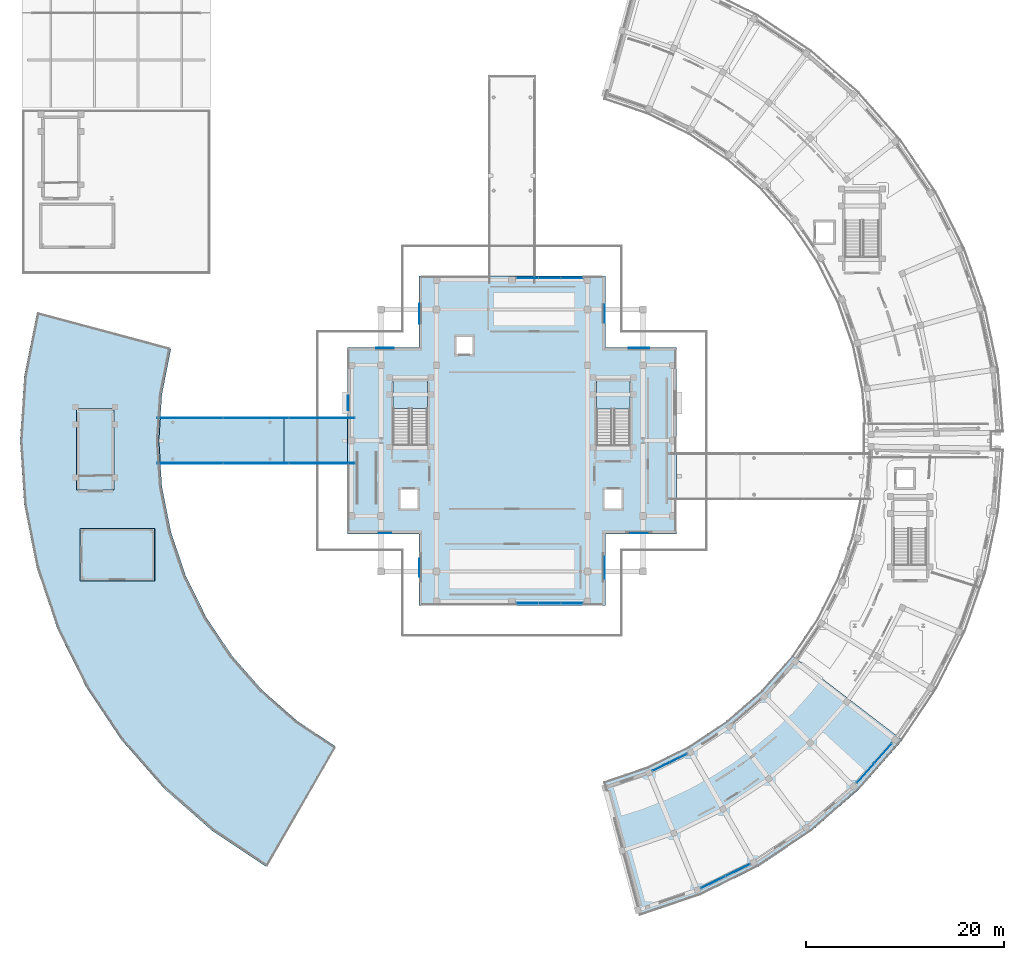
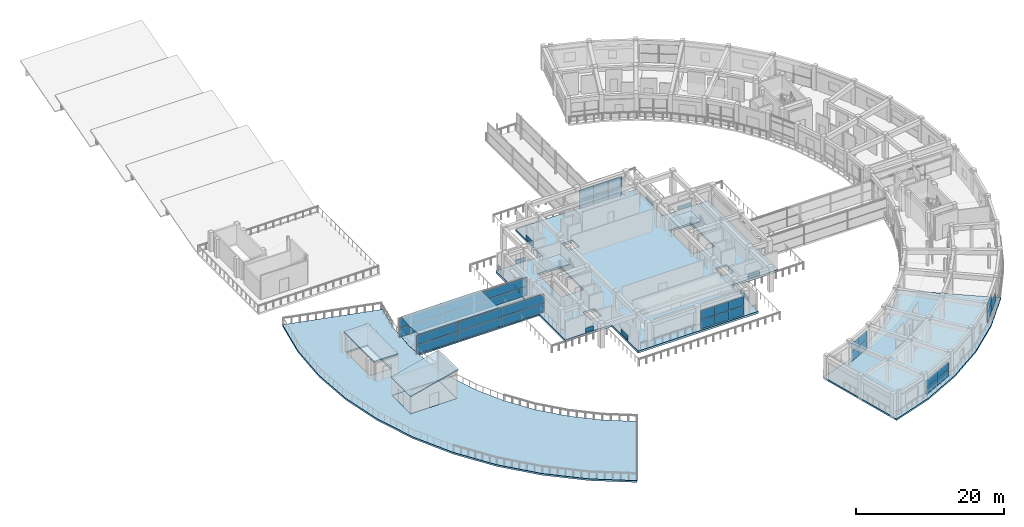
# One storey, part 28 of 53: 44 plates, 10 slabs, 9 elements without a shape of their own.
"""IFC4 building model written with IfcOpenShell, lengths in metres."""

from ifc_helpers import new_model, si_unit, direction, frame, origin, origin_2d, place, context, subcontext, project, spatial, polyline, rectangle, outline, extrude, material, layer, layer_set, type_object, element, aggregate, save


model = new_model("IFC4")

# Units and contexts
model_context = context("Model", 3, precision=1e-05, world=origin(), true_north=direction((0.0, 1.0)))
body_context = subcontext(model_context, "Body", "Model", "MODEL_VIEW")
ifc_project = project(units=[si_unit("LENGTHUNIT", "METRE"), si_unit("AREAUNIT", "SQUARE_METRE"), si_unit("VOLUMEUNIT", "CUBIC_METRE"), si_unit("PLANEANGLEUNIT", "RADIAN"), si_unit("MASSUNIT", "GRAM", prefix="KILO")], contexts=[model_context])

# Site, building, storey
site_placement = place(None, origin())
site = spatial("IfcSite", under=ifc_project, at=site_placement, CompositionType="ELEMENT")
building_placement = place(site_placement, origin())
building = spatial("IfcBuilding", under=site, at=building_placement, Name="Saryqyr Civic Hall", CompositionType="ELEMENT")
storey_placement = place(building_placement, frame((0.0, 0.0, 21.300048828125)))
storey = spatial("IfcBuildingStorey", under=building, at=storey_placement, Name="L05", CompositionType="ELEMENT", Elevation=21.300048828125)

# Curtain wall, plates
ifc_material_1 = material(Name="Anodised aluminium and triple low-E glass", Category="aluminium")
curtain_wall_type_1 = type_object("IfcCurtainWallType", Name="ENV-CW-STD-03", PredefinedType="NOTDEFINED", material=ifc_material_1)
curtain_wall_1_placement = place(storey_placement, origin())
curtain_wall_1 = element("IfcCurtainWall", 1, at=curtain_wall_1_placement, inside=storey, type_object=curtain_wall_type_1, Name="Curtain wall V5-CWO-L05-01", PredefinedType="NOTDEFINED")
ifc_material_2 = material(Name="Triple low-E insulated glazing", Category="glass")
ifc_layer_1 = layer(ifc_material_2, 0.053955078125, Name="Triple low-E insulated glazing")
ifc_layer_set_1 = layer_set([ifc_layer_1], Name="Triple low-E insulated glazing")
plate_type_1 = type_object("IfcPlateType", Name="ENV-CW-PNL-38", PredefinedType="CURTAIN_PANEL", material=ifc_layer_set_1)
plate_1_placement = place(storey_placement, frame((79.7548828125, 40.697509765625, 0.06005859375), z_axis=(0.0, 0.0, 1.0), x_axis=(-0.89797065456, -0.440055341463, 0.0)))
plate_1 = element("IfcPlate", 2, at=plate_1_placement, type_object=plate_type_1, Name="CW-03 panel 1.1", PredefinedType="CURTAIN_PANEL", context=body_context, shape_type="SweptSolid", body=[
    extrude(rectangle(XDim=2.695556640625, YDim=0.053955078125, at=origin_2d()), origin(), (0.0, 0.0, 1.0), 1.135009765625),
])
plate_2_placement = place(storey_placement, frame((79.7548828125, 40.697509765625, 1.2548828125), z_axis=(0.0, 0.0, 1.0), x_axis=(-0.89797065456, -0.440055341463, 0.0)))
plate_2 = element("IfcPlate", 3, at=plate_2_placement, type_object=plate_type_1, Name="CW-03 panel 1.2", PredefinedType="CURTAIN_PANEL", context=body_context, shape_type="SweptSolid", body=[
    extrude(rectangle(XDim=2.695556640625, YDim=0.053955078125, at=origin_2d()), origin(), (0.0, 0.0, 1.0), 1.135009765625),
])
plate_3_placement = place(storey_placement, frame((77.280517578125, 39.485107421875, 0.06005859375), z_axis=(0.0, 0.0, 1.0), x_axis=(-0.89797065456, -0.440055341463, 0.0)))
plate_3 = element("IfcPlate", 4, at=plate_3_placement, type_object=plate_type_1, Name="CW-03 panel 2.1", PredefinedType="CURTAIN_PANEL", context=body_context, shape_type="SweptSolid", body=[
    extrude(rectangle(XDim=2.695556640625, YDim=0.053955078125, at=origin_2d()), origin(), (0.0, 0.0, 1.0), 1.135009765625),
])
plate_4_placement = place(storey_placement, frame((77.280517578125, 39.485107421875, 1.2548828125), z_axis=(0.0, 0.0, 1.0), x_axis=(-0.89797065456, -0.440055341463, 0.0)))
plate_4 = element("IfcPlate", 5, at=plate_4_placement, type_object=plate_type_1, Name="CW-03 panel 2.2", PredefinedType="CURTAIN_PANEL", context=body_context, shape_type="SweptSolid", body=[
    extrude(rectangle(XDim=2.695556640625, YDim=0.053955078125, at=origin_2d()), origin(), (0.0, 0.0, 1.0), 1.135009765625),
])
aggregate(curtain_wall_1, [plate_1, plate_2, plate_3, plate_4])

curtain_wall_type_2 = type_object("IfcCurtainWallType", Name="ENV-CW-STD-25", PredefinedType="NOTDEFINED", material=ifc_material_1)
curtain_wall_2_placement = place(storey_placement, origin())
curtain_wall_2 = element("IfcCurtainWall", 6, at=curtain_wall_2_placement, inside=storey, type_object=curtain_wall_type_2, Name="Curtain wall V5-CWI-L05-01", PredefinedType="NOTDEFINED")
plate_5_placement = place(storey_placement, frame((72.03076171875, 51.136962890625, 0.06005859375), z_axis=(0.0, 0.0, 1.0), x_axis=(0.897961859945, 0.440073287175, 0.0)))
plate_5 = element("IfcPlate", 7, at=plate_5_placement, type_object=plate_type_1, Name="CW-25 panel 1.1", PredefinedType="CURTAIN_PANEL", context=body_context, shape_type="SweptSolid", body=[
    extrude(rectangle(XDim=1.868896484375, YDim=0.053955078125, at=origin_2d()), origin(), (0.0, 0.0, 1.0), 1.488037109375),
])
plate_6_placement = place(storey_placement, frame((72.03076171875, 51.136962890625, 1.60791015625), z_axis=(0.0, 0.0, 1.0), x_axis=(0.897961859945, 0.440073287175, 0.0)))
plate_6 = element("IfcPlate", 8, at=plate_6_placement, type_object=plate_type_1, Name="CW-25 panel 1.2", PredefinedType="CURTAIN_PANEL", context=body_context, shape_type="SweptSolid", body=[
    extrude(rectangle(XDim=1.868896484375, YDim=0.053955078125, at=origin_2d()), origin(), (0.0, 0.0, 1.0), 1.487060546875),
])
plate_7_placement = place(storey_placement, frame((73.762939453125, 51.98583984375, 0.06005859375), z_axis=(0.0, 0.0, 1.0), x_axis=(0.897961859945, 0.440073287175, 0.0)))
plate_7 = element("IfcPlate", 9, at=plate_7_placement, type_object=plate_type_1, Name="CW-25 panel 2.1", PredefinedType="CURTAIN_PANEL", context=body_context, shape_type="SweptSolid", body=[
    extrude(rectangle(XDim=1.868896484375, YDim=0.053955078125, at=origin_2d()), origin(), (0.0, 0.0, 1.0), 1.488037109375),
])
plate_8_placement = place(storey_placement, frame((73.762939453125, 51.98583984375, 1.60791015625), z_axis=(0.0, 0.0, 1.0), x_axis=(0.897961859945, 0.440073287175, 0.0)))
plate_8 = element("IfcPlate", 10, at=plate_8_placement, type_object=plate_type_1, Name="CW-25 panel 2.2", PredefinedType="CURTAIN_PANEL", context=body_context, shape_type="SweptSolid", body=[
    extrude(rectangle(XDim=1.868896484375, YDim=0.053955078125, at=origin_2d()), origin(), (0.0, 0.0, 1.0), 1.487060546875),
])
aggregate(curtain_wall_2, [plate_5, plate_6, plate_7, plate_8])

curtain_wall_type_3 = type_object("IfcCurtainWallType", Name="ENV-CW-STD-39", PredefinedType="NOTDEFINED", material=ifc_material_1)
curtain_wall_3_placement = place(storey_placement, origin())
curtain_wall_3 = element("IfcCurtainWall", 11, at=curtain_wall_3_placement, inside=storey, type_object=curtain_wall_type_3, Name="Curtain wall V5-CWO-L05-04", PredefinedType="NOTDEFINED")
plate_9_placement = place(storey_placement, frame((94.412353515625, 52.486572265625, 0.06005859375), z_axis=(0.0, 0.0, 1.0), x_axis=(-0.664934159467, -0.746901977219, 0.0)))
plate_9 = element("IfcPlate", 12, at=plate_9_placement, type_object=plate_type_1, Name="CW-39 panel 1.1", PredefinedType="CURTAIN_PANEL", context=body_context, shape_type="SweptSolid", body=[
    extrude(rectangle(XDim=2.618896484375, YDim=0.053955078125, at=origin_2d()), origin(), (0.0, 0.0, 1.0), 1.488037109375),
])
plate_10_placement = place(storey_placement, frame((92.631103515625, 50.485595703125, 0.06005859375), z_axis=(0.0, 0.0, 1.0), x_axis=(-0.664934159467, -0.746901977219, 0.0)))
plate_10 = element("IfcPlate", 13, at=plate_10_placement, type_object=plate_type_1, Name="CW-39 panel 2.1", PredefinedType="CURTAIN_PANEL", context=body_context, shape_type="SweptSolid", body=[
    extrude(rectangle(XDim=2.618896484375, YDim=0.053955078125, at=origin_2d()), origin(), (0.0, 0.0, 1.0), 1.488037109375),
])
plate_11_placement = place(storey_placement, frame((92.631103515625, 50.485595703125, 1.60791015625), z_axis=(0.0, 0.0, 1.0), x_axis=(-0.664934159467, -0.746901977219, 0.0)))
plate_11 = element("IfcPlate", 14, at=plate_11_placement, type_object=plate_type_1, Name="CW-39 panel 2.2", PredefinedType="CURTAIN_PANEL", context=body_context, shape_type="SweptSolid", body=[
    extrude(rectangle(XDim=2.618896484375, YDim=0.053955078125, at=origin_2d()), origin(), (0.0, 0.0, 1.0), 1.487060546875),
])
aggregate(curtain_wall_3, [plate_9, plate_10, plate_11])

curtain_wall_type_4 = type_object("IfcCurtainWallType", Name="ENV-CW-STD-86", PredefinedType="NOTDEFINED", material=ifc_material_1)
curtain_wall_4_placement = place(storey_placement, origin())
curtain_wall_4 = element("IfcCurtainWall", 15, at=curtain_wall_4_placement, inside=storey, type_object=curtain_wall_type_4, Name="Curtain wall BR-CW-CW1-L05", PredefinedType="NOTDEFINED")
plate_12_placement = place(storey_placement, frame((37.8515625, 81.719970703125, 0.06005859375), z_axis=(0.0, 0.0, 1.0), x_axis=(-1.0, 0.0, 0.0)))
plate_12 = element("IfcPlate", 16, at=plate_12_placement, type_object=plate_type_1, Name="CW-86 panel 1.1", PredefinedType="CURTAIN_PANEL", context=body_context, shape_type="SweptSolid", body=[
    extrude(rectangle(XDim=6.57666015625, YDim=0.053955078125, at=origin_2d()), origin(), (0.0, 0.0, 1.0), 1.4599609375),
])
plate_13_placement = place(storey_placement, frame((37.8515625, 81.719970703125, 1.580078125), z_axis=(0.0, 0.0, 1.0), x_axis=(-1.0, 0.0, 0.0)))
plate_13 = element("IfcPlate", 17, at=plate_13_placement, type_object=plate_type_1, Name="CW-86 panel 1.2", PredefinedType="CURTAIN_PANEL", context=body_context, shape_type="SweptSolid", body=[
    extrude(rectangle(XDim=6.57666015625, YDim=0.053955078125, at=origin_2d()), origin(), (0.0, 0.0, 1.0), 1.4599609375),
])
plate_14_placement = place(storey_placement, frame((31.199951171875, 81.719970703125, 0.06005859375), z_axis=(0.0, 0.0, 1.0), x_axis=(-1.0, 0.0, 0.0)))
plate_14 = element("IfcPlate", 18, at=plate_14_placement, type_object=plate_type_1, Name="CW-86 panel 2.1", PredefinedType="CURTAIN_PANEL", context=body_context, shape_type="SweptSolid", body=[
    extrude(rectangle(XDim=6.606689453125, YDim=0.053955078125, at=origin_2d()), origin(), (0.0, 0.0, 1.0), 1.4599609375),
])
plate_15_placement = place(storey_placement, frame((31.199951171875, 81.719970703125, 1.580078125), z_axis=(0.0, 0.0, 1.0), x_axis=(-1.0, 0.0, 0.0)))
plate_15 = element("IfcPlate", 19, at=plate_15_placement, type_object=plate_type_1, Name="CW-86 panel 2.2", PredefinedType="CURTAIN_PANEL", context=body_context, shape_type="SweptSolid", body=[
    extrude(rectangle(XDim=6.606689453125, YDim=0.053955078125, at=origin_2d()), origin(), (0.0, 0.0, 1.0), 1.4599609375),
])
plate_16_placement = place(storey_placement, frame((24.54833984375, 81.719970703125, 0.06005859375), z_axis=(0.0, 0.0, 1.0), x_axis=(-1.0, 0.0, 0.0)))
plate_16 = element("IfcPlate", 20, at=plate_16_placement, type_object=plate_type_1, Name="CW-86 panel 3.1", PredefinedType="CURTAIN_PANEL", context=body_context, shape_type="SweptSolid", body=[
    extrude(rectangle(XDim=6.57666015625, YDim=0.053955078125, at=origin_2d()), origin(), (0.0, 0.0, 1.0), 1.4599609375),
])
plate_17_placement = place(storey_placement, frame((24.54833984375, 81.719970703125, 1.580078125), z_axis=(0.0, 0.0, 1.0), x_axis=(-1.0, 0.0, 0.0)))
plate_17 = element("IfcPlate", 21, at=plate_17_placement, type_object=plate_type_1, Name="CW-86 panel 3.2", PredefinedType="CURTAIN_PANEL", context=body_context, shape_type="SweptSolid", body=[
    extrude(rectangle(XDim=6.57666015625, YDim=0.053955078125, at=origin_2d()), origin(), (0.0, 0.0, 1.0), 1.4599609375),
])
aggregate(curtain_wall_4, [plate_12, plate_13, plate_14, plate_15, plate_16, plate_17])

curtain_wall_5_placement = place(storey_placement, origin())
curtain_wall_5 = element("IfcCurtainWall", 22, at=curtain_wall_5_placement, inside=storey, type_object=curtain_wall_type_4, Name="Curtain wall BR-CW-CW2-L05", PredefinedType="NOTDEFINED")
plate_18_placement = place(storey_placement, frame((24.54833984375, 86.280029296875, 0.06005859375), z_axis=(0.0, 0.0, 1.0), x_axis=(1.0, 0.0, 0.0)))
plate_18 = element("IfcPlate", 23, at=plate_18_placement, type_object=plate_type_1, Name="CW-86 panel 1.1", PredefinedType="CURTAIN_PANEL", context=body_context, shape_type="SweptSolid", body=[
    extrude(rectangle(XDim=6.57666015625, YDim=0.053955078125, at=origin_2d()), origin(), (0.0, 0.0, 1.0), 1.4599609375),
])
plate_19_placement = place(storey_placement, frame((24.54833984375, 86.280029296875, 1.580078125), z_axis=(0.0, 0.0, 1.0), x_axis=(1.0, 0.0, 0.0)))
plate_19 = element("IfcPlate", 24, at=plate_19_placement, type_object=plate_type_1, Name="CW-86 panel 1.2", PredefinedType="CURTAIN_PANEL", context=body_context, shape_type="SweptSolid", body=[
    extrude(rectangle(XDim=6.57666015625, YDim=0.053955078125, at=origin_2d()), origin(), (0.0, 0.0, 1.0), 1.4599609375),
])
plate_20_placement = place(storey_placement, frame((31.199951171875, 86.280029296875, 0.06005859375), z_axis=(0.0, 0.0, 1.0), x_axis=(1.0, 0.0, 0.0)))
plate_20 = element("IfcPlate", 25, at=plate_20_placement, type_object=plate_type_1, Name="CW-86 panel 2.1", PredefinedType="CURTAIN_PANEL", context=body_context, shape_type="SweptSolid", body=[
    extrude(rectangle(XDim=6.606689453125, YDim=0.053955078125, at=origin_2d()), origin(), (0.0, 0.0, 1.0), 1.4599609375),
])
plate_21_placement = place(storey_placement, frame((31.199951171875, 86.280029296875, 1.580078125), z_axis=(0.0, 0.0, 1.0), x_axis=(1.0, 0.0, 0.0)))
plate_21 = element("IfcPlate", 26, at=plate_21_placement, type_object=plate_type_1, Name="CW-86 panel 2.2", PredefinedType="CURTAIN_PANEL", context=body_context, shape_type="SweptSolid", body=[
    extrude(rectangle(XDim=6.606689453125, YDim=0.053955078125, at=origin_2d()), origin(), (0.0, 0.0, 1.0), 1.4599609375),
])
plate_22_placement = place(storey_placement, frame((37.8515625, 86.280029296875, 0.06005859375), z_axis=(0.0, 0.0, 1.0), x_axis=(1.0, 0.0, 0.0)))
plate_22 = element("IfcPlate", 27, at=plate_22_placement, type_object=plate_type_1, Name="CW-86 panel 3.1", PredefinedType="CURTAIN_PANEL", context=body_context, shape_type="SweptSolid", body=[
    extrude(rectangle(XDim=6.57666015625, YDim=0.053955078125, at=origin_2d()), origin(), (0.0, 0.0, 1.0), 1.4599609375),
])
plate_23_placement = place(storey_placement, frame((37.8515625, 86.280029296875, 1.580078125), z_axis=(0.0, 0.0, 1.0), x_axis=(1.0, 0.0, 0.0)))
plate_23 = element("IfcPlate", 28, at=plate_23_placement, type_object=plate_type_1, Name="CW-86 panel 3.2", PredefinedType="CURTAIN_PANEL", context=body_context, shape_type="SweptSolid", body=[
    extrude(rectangle(XDim=6.57666015625, YDim=0.053955078125, at=origin_2d()), origin(), (0.0, 0.0, 1.0), 1.4599609375),
])
aggregate(curtain_wall_5, [plate_18, plate_19, plate_20, plate_21, plate_22, plate_23])

curtain_wall_type_5 = type_object("IfcCurtainWallType", Name="ENV-CW-HVY-49", PredefinedType="NOTDEFINED", material=ifc_material_1)
curtain_wall_6_placement = place(storey_placement, origin())
curtain_wall_6 = element("IfcCurtainWall", 29, at=curtain_wall_6_placement, inside=storey, type_object=curtain_wall_type_5, Name="Curtain wall V1-CW-L05-05", PredefinedType="NOTDEFINED")
ifc_material_3 = material(Name="Acoustic laminated low-E glazing", Category="glass")
ifc_layer_2 = layer(ifc_material_3, 0.072021484375, Name="Acoustic laminated low-E glazing")
ifc_layer_set_2 = layer_set([ifc_layer_2], Name="Acoustic laminated low-E glazing")
plate_type_2 = type_object("IfcPlateType", Name="ENV-CW-PNL-52", PredefinedType="CURTAIN_PANEL", material=ifc_layer_set_2)
plate_24_placement = place(storey_placement, frame((58.544189453125, 100.39990234375, 0.06982421875), z_axis=(0.0, 0.0, 1.0), x_axis=(1.0, 0.0, 0.0)))
plate_24 = element("IfcPlate", 30, at=plate_24_placement, type_object=plate_type_2, Name="CW-49 panel 1.1", PredefinedType="CURTAIN_PANEL", context=body_context, shape_type="SweptSolid", body=[
    extrude(rectangle(XDim=2.168212890625, YDim=0.072021484375, at=origin_2d()), origin(), (0.0, 0.0, 1.0), 1.47802734375),
])
plate_25_placement = place(storey_placement, frame((58.544189453125, 100.39990234375, 1.617919921875), z_axis=(0.0, 0.0, 1.0), x_axis=(1.0, 0.0, 0.0)))
plate_25 = element("IfcPlate", 31, at=plate_25_placement, type_object=plate_type_2, Name="CW-49 panel 1.2", PredefinedType="CURTAIN_PANEL", context=body_context, shape_type="SweptSolid", body=[
    extrude(rectangle(XDim=2.168212890625, YDim=0.072021484375, at=origin_2d()), origin(), (0.0, 0.0, 1.0), 1.47705078125),
])
plate_26_placement = place(storey_placement, frame((60.800048828125, 100.39990234375, 0.06982421875), z_axis=(0.0, 0.0, 1.0), x_axis=(1.0, 0.0, 0.0)))
plate_26 = element("IfcPlate", 32, at=plate_26_placement, type_object=plate_type_2, Name="CW-49 panel 2.1", PredefinedType="CURTAIN_PANEL", context=body_context, shape_type="SweptSolid", body=[
    extrude(rectangle(XDim=2.203369140625, YDim=0.072021484375, at=origin_2d()), origin(), (0.0, 0.0, 1.0), 1.47802734375),
])
plate_27_placement = place(storey_placement, frame((60.800048828125, 100.39990234375, 1.617919921875), z_axis=(0.0, 0.0, 1.0), x_axis=(1.0, 0.0, 0.0)))
plate_27 = element("IfcPlate", 33, at=plate_27_placement, type_object=plate_type_2, Name="CW-49 panel 2.2", PredefinedType="CURTAIN_PANEL", context=body_context, shape_type="SweptSolid", body=[
    extrude(rectangle(XDim=2.203369140625, YDim=0.072021484375, at=origin_2d()), origin(), (0.0, 0.0, 1.0), 1.47705078125),
])
plate_28_placement = place(storey_placement, frame((63.055908203125, 100.39990234375, 0.06982421875), z_axis=(0.0, 0.0, 1.0), x_axis=(1.0, 0.0, 0.0)))
plate_28 = element("IfcPlate", 34, at=plate_28_placement, type_object=plate_type_2, Name="CW-49 panel 3.1", PredefinedType="CURTAIN_PANEL", context=body_context, shape_type="SweptSolid", body=[
    extrude(rectangle(XDim=2.168212890625, YDim=0.072021484375, at=origin_2d()), origin(), (0.0, 0.0, 1.0), 1.47802734375),
])
plate_29_placement = place(storey_placement, frame((63.055908203125, 100.39990234375, 1.617919921875), z_axis=(0.0, 0.0, 1.0), x_axis=(1.0, 0.0, 0.0)))
plate_29 = element("IfcPlate", 35, at=plate_29_placement, type_object=plate_type_2, Name="CW-49 panel 3.2", PredefinedType="CURTAIN_PANEL", context=body_context, shape_type="SweptSolid", body=[
    extrude(rectangle(XDim=2.168212890625, YDim=0.072021484375, at=origin_2d()), origin(), (0.0, 0.0, 1.0), 1.47705078125),
])
aggregate(curtain_wall_6, [plate_24, plate_25, plate_26, plate_27, plate_28, plate_29])

curtain_wall_7_placement = place(storey_placement, origin())
curtain_wall_7 = element("IfcCurtainWall", 36, at=curtain_wall_7_placement, inside=storey, type_object=curtain_wall_type_5, Name="Curtain wall V1-CW-L05-11", PredefinedType="NOTDEFINED")
plate_30_placement = place(storey_placement, frame((63.055908203125, 67.60009765625, 0.06982421875), z_axis=(0.0, 0.0, 1.0), x_axis=(-1.0, 0.0, 0.0)))
plate_30 = element("IfcPlate", 37, at=plate_30_placement, type_object=plate_type_2, Name="CW-49 panel 1.1", PredefinedType="CURTAIN_PANEL", context=body_context, shape_type="SweptSolid", body=[
    extrude(rectangle(XDim=2.168212890625, YDim=0.072021484375, at=origin_2d()), origin(), (0.0, 0.0, 1.0), 1.47802734375),
])
plate_31_placement = place(storey_placement, frame((63.055908203125, 67.60009765625, 1.617919921875), z_axis=(0.0, 0.0, 1.0), x_axis=(-1.0, 0.0, 0.0)))
plate_31 = element("IfcPlate", 38, at=plate_31_placement, type_object=plate_type_2, Name="CW-49 panel 1.2", PredefinedType="CURTAIN_PANEL", context=body_context, shape_type="SweptSolid", body=[
    extrude(rectangle(XDim=2.168212890625, YDim=0.072021484375, at=origin_2d()), origin(), (0.0, 0.0, 1.0), 1.47705078125),
])
plate_32_placement = place(storey_placement, frame((60.800048828125, 67.60009765625, 0.06982421875), z_axis=(0.0, 0.0, 1.0), x_axis=(-1.0, 0.0, 0.0)))
plate_32 = element("IfcPlate", 39, at=plate_32_placement, type_object=plate_type_2, Name="CW-49 panel 2.1", PredefinedType="CURTAIN_PANEL", context=body_context, shape_type="SweptSolid", body=[
    extrude(rectangle(XDim=2.203369140625, YDim=0.072021484375, at=origin_2d()), origin(), (0.0, 0.0, 1.0), 1.47802734375),
])
plate_33_placement = place(storey_placement, frame((60.800048828125, 67.60009765625, 1.617919921875), z_axis=(0.0, 0.0, 1.0), x_axis=(-1.0, 0.0, 0.0)))
plate_33 = element("IfcPlate", 40, at=plate_33_placement, type_object=plate_type_2, Name="CW-49 panel 2.2", PredefinedType="CURTAIN_PANEL", context=body_context, shape_type="SweptSolid", body=[
    extrude(rectangle(XDim=2.203369140625, YDim=0.072021484375, at=origin_2d()), origin(), (0.0, 0.0, 1.0), 1.47705078125),
])
plate_34_placement = place(storey_placement, frame((58.544189453125, 67.60009765625, 0.06982421875), z_axis=(0.0, 0.0, 1.0), x_axis=(-1.0, 0.0, 0.0)))
plate_34 = element("IfcPlate", 41, at=plate_34_placement, type_object=plate_type_2, Name="CW-49 panel 3.1", PredefinedType="CURTAIN_PANEL", context=body_context, shape_type="SweptSolid", body=[
    extrude(rectangle(XDim=2.168212890625, YDim=0.072021484375, at=origin_2d()), origin(), (0.0, 0.0, 1.0), 1.47802734375),
])
plate_35_placement = place(storey_placement, frame((58.544189453125, 67.60009765625, 1.617919921875), z_axis=(0.0, 0.0, 1.0), x_axis=(-1.0, 0.0, 0.0)))
plate_35 = element("IfcPlate", 42, at=plate_35_placement, type_object=plate_type_2, Name="CW-49 panel 3.2", PredefinedType="CURTAIN_PANEL", context=body_context, shape_type="SweptSolid", body=[
    extrude(rectangle(XDim=2.168212890625, YDim=0.072021484375, at=origin_2d()), origin(), (0.0, 0.0, 1.0), 1.47705078125),
])
aggregate(curtain_wall_7, [plate_30, plate_31, plate_32, plate_33, plate_34, plate_35])

# Plates
ifc_material_4 = material(Name="Warm brushed brass-anodised aluminium", Category="aluminium")
ifc_layer_3 = layer(ifc_material_4, 0.008056640625, Name="Warm brushed brass-anodised aluminium")
ifc_layer_set_3 = layer_set([ifc_layer_3], Name="Warm brushed brass-anodised aluminium")
plate_type_3 = type_object("IfcPlateType", Name="ENV-PLT-BRASS-1", PredefinedType="SHEET", material=ifc_layer_set_3)
plate_36_placement = place(storey_placement, frame((47.6630859375, 71.199951171875, 0.080078125), z_axis=(0.0, 0.0, 1.0), x_axis=(0.0, 1.0, 0.0)))
element("IfcPlate", 43, at=plate_36_placement, inside=storey, type_object=plate_type_3, Name="Warm brass spandrel cladding sheet L05-00", PredefinedType="SHEET", context=body_context, shape_type="SweptSolid", body=[
    extrude(rectangle(XDim=1.800048828125, YDim=0.008056640625, at=origin_2d()), origin(), (0.0, 0.0, 1.0), 0.679931640625),
])
plate_37_placement = place(storey_placement, frame((44.199951171875, 93.3369140625, 0.080078125), z_axis=(0.0, 0.0, 1.0), x_axis=(1.0, 0.0, 0.0)))
element("IfcPlate", 44, at=plate_37_placement, inside=storey, type_object=plate_type_3, Name="Warm brass spandrel cladding sheet L05-03", PredefinedType="SHEET", context=body_context, shape_type="SweptSolid", body=[
    extrude(rectangle(XDim=1.75, YDim=0.008056640625, at=origin_2d()), origin(), (0.0, 0.0, 1.0), 0.679931640625),
])
for number, where, z_axis, x_axis, name in (
    (45, (66.3369140625, 96.800048828125, 0.080078125), (0.0, 0.0, 1.0), (0.0, -1.0, 0.0), "Warm brass spandrel cladding sheet L05-06"),
    (46, (69.800048828125, 74.6630859375, 0.080078125), (0.0, 0.0, 1.0), (-1.0, 0.0, 0.0), "Warm brass spandrel cladding sheet L05-09"),
):
    element("IfcPlate", number, at=place(storey_placement, frame(where, z_axis=z_axis, x_axis=x_axis)), inside=storey, type_object=plate_type_3, Name=name, PredefinedType="SHEET", context=body_context, shape_type="SweptSolid", body=[
        extrude(rectangle(XDim=1.800048828125, YDim=0.008056640625, at=origin_2d()), origin(), (0.0, 0.0, 1.0), 0.679931640625),
    ])
ifc_layer_4 = layer(ifc_material_4, 0.02001953125, Name="Warm brushed brass-anodised aluminium")
ifc_layer_set_4 = layer_set([ifc_layer_4], Name="Warm brushed brass-anodised aluminium")
plate_type_4 = type_object("IfcPlateType", Name="ENV-PLT-BRASS-2", PredefinedType="SHEET", material=ifc_layer_set_4)
plate_38_placement = place(storey_placement, frame((44.199951171875, 74.656982421875, 0.080078125), z_axis=(0.0, 0.0, 1.0), x_axis=(-1.0, 0.0, 0.0)))
element("IfcPlate", 47, at=plate_38_placement, inside=storey, type_object=plate_type_4, Name="Warm brass spandrel cladding sheet L05-01", PredefinedType="SHEET", context=body_context, shape_type="SweptSolid", body=[
    extrude(rectangle(XDim=1.25, YDim=0.02001953125, at=origin_2d()), origin(), (0.0, 0.0, 1.0), 0.679931640625),
])
plate_39_placement = place(storey_placement, frame((47.656982421875, 96.800048828125, 0.080078125), z_axis=(0.0, 0.0, 1.0), x_axis=(0.0, 1.0, 0.0)))
element("IfcPlate", 48, at=plate_39_placement, inside=storey, type_object=plate_type_4, Name="Warm brass spandrel cladding sheet L05-04", PredefinedType="SHEET", context=body_context, shape_type="SweptSolid", body=[
    extrude(rectangle(XDim=2.0, YDim=0.02001953125, at=origin_2d()), origin(), (0.0, 0.0, 1.0), 0.679931640625),
])
plate_40_placement = place(storey_placement, frame((69.800048828125, 93.343017578125, 0.080078125), z_axis=(0.0, 0.0, 1.0), x_axis=(1.0, 0.0, 0.0)))
element("IfcPlate", 49, at=plate_40_placement, inside=storey, type_object=plate_type_4, Name="Warm brass spandrel cladding sheet L05-07", PredefinedType="SHEET", context=body_context, shape_type="SweptSolid", body=[
    extrude(rectangle(XDim=2.10009765625, YDim=0.02001953125, at=origin_2d()), origin(), (0.0, 0.0, 1.0), 0.679931640625),
])
plate_41_placement = place(storey_placement, frame((66.343017578125, 71.199951171875, 0.080078125), z_axis=(0.0, 0.0, 1.0), x_axis=(0.0, -1.0, 0.0)))
element("IfcPlate", 50, at=plate_41_placement, inside=storey, type_object=plate_type_4, Name="Warm brass spandrel cladding sheet L05-10", PredefinedType="SHEET", context=body_context, shape_type="SweptSolid", body=[
    extrude(rectangle(XDim=2.199951171875, YDim=0.02001953125, at=origin_2d()), origin(), (0.0, 0.0, 1.0), 0.679931640625),
])
ifc_layer_5 = layer(ifc_material_4, 0.031982421875, Name="Warm brushed brass-anodised aluminium")
ifc_layer_set_5 = layer_set([ifc_layer_5], Name="Warm brushed brass-anodised aluminium")
plate_type_5 = type_object("IfcPlateType", Name="ENV-PLT-BRASS-3", PredefinedType="SHEET", material=ifc_layer_set_5)
plate_42_placement = place(storey_placement, frame((40.450927734375, 87.800048828125, 0.080078125), z_axis=(0.0, 0.0, 1.0), x_axis=(0.0, 1.0, 0.0)))
element("IfcPlate", 51, at=plate_42_placement, inside=storey, type_object=plate_type_5, Name="Warm brass spandrel cladding sheet L05-02", PredefinedType="SHEET", context=body_context, shape_type="SweptSolid", body=[
    extrude(rectangle(XDim=1.5, YDim=0.031982421875, at=origin_2d()), origin(), (0.0, 0.0, 1.0), 0.679931640625),
])

# Slabs
ifc_material_5 = material(Name="Concrete C35/45", Category="concrete")
ifc_layer_6 = layer(ifc_material_5, 0.22998046875, Name="Concrete C35/45")
ifc_layer_set_6 = layer_set([ifc_layer_6], Name="Concrete C35/45")
slab_type_1 = type_object("IfcSlabType", Name="STR-SLB-FLR-230", PredefinedType="FLOOR", material=ifc_layer_set_6)
slab_1_placement = place(storey_placement, frame((0.0, 0.0, -0.22998046875)))
element("IfcSlab", 52, at=slab_1_placement, inside=storey, type_object=slab_type_1, Name="Slab SLB-BR-CW-L05", PredefinedType="FLOOR", context=body_context, shape_type="SweptSolid", body=[
    extrude(outline(polyline([(40.39990234375, 86.39990234375), (40.39990234375, 81.60009765625), (21.557373046875, 81.60009765625), (21.39990234375, 84.0), (21.557373046875, 86.39990234375), (40.39990234375, 86.39990234375)])), origin(), (0.0, 0.0, 1.0), 0.22998046875),
])
ifc_layer_7 = layer(ifc_material_5, 0.260009765625, Name="Concrete C35/45")
ifc_layer_set_7 = layer_set([ifc_layer_7], Name="Concrete C35/45")
slab_type_2 = type_object("IfcSlabType", Name="STR-SLB-FLR-260", PredefinedType="FLOOR", material=ifc_layer_set_7)
slab_2_placement = place(storey_placement, frame((0.0, 0.0, -0.260009765625)))
element("IfcSlab", 53, at=slab_2_placement, inside=storey, type_object=slab_type_2, Name="Slab SLB-V4-PAVFLR-L05", PredefinedType="FLOOR", context=body_context, shape_type="SweptSolid", body=[
    extrude(outline(polyline([(13.60009765625, 70.0), (13.60009765625, 75.0), (20.800048828125, 75.0), (20.800048828125, 70.0), (13.60009765625, 70.0)])), origin(), (0.0, 0.0, 1.0), 0.260009765625),
])
slab_3_placement = place(storey_placement, frame((0.0, 0.0, -0.260009765625)))
element("IfcSlab", 54, at=slab_3_placement, inside=storey, type_object=slab_type_2, Name="Slab SLB-V5A-L05", PredefinedType="FLOOR", context=body_context, shape_type="SweptSolid", body=[
    extrude(outline(polyline([(70.62353515625, 51.10986328125), (74.800048828125, 53.16943359375), (78.671875, 55.756591796875), (82.173095703125, 58.826904296875), (85.243408203125, 62.328125), (96.350341796875, 53.805419921875), (92.072509765625, 48.927490234375), (87.194580078125, 44.649658203125), (81.800048828125, 41.045166015625), (75.981201171875, 38.175537109375), (69.83740234375, 36.090087890625), (66.214111328125, 49.613037109375), (70.62353515625, 51.10986328125)])), origin(), (0.0, 0.0, 1.0), 0.260009765625),
])
ifc_material_6 = material(Name="Concrete C40/50", Category="concrete")
ifc_layer_8 = layer(ifc_material_6, 0.340087890625, Name="Concrete C40/50")
ifc_layer_set_8 = layer_set([ifc_layer_8], Name="Concrete C40/50")
slab_type_3 = type_object("IfcSlabType", Name="STR-SLB-FLR-340", PredefinedType="FLOOR", material=ifc_layer_set_8)
slab_4_placement = place(storey_placement, frame((0.0, 0.0, -0.340087890625)))
element("IfcSlab", 55, at=slab_4_placement, inside=storey, type_object=slab_type_3, Name="Slab SLB-V1-L05", PredefinedType="FLOOR", context=body_context, shape_type="SweptSolid", body=[
    extrude(outline(polyline([(47.60009765625, 74.60009765625), (40.39990234375, 74.60009765625), (40.39990234375, 93.39990234375), (47.60009765625, 93.39990234375), (47.60009765625, 100.60009765625), (66.39990234375, 100.60009765625), (66.39990234375, 93.39990234375), (73.60009765625, 93.39990234375), (73.60009765625, 74.60009765625), (66.39990234375, 74.60009765625), (66.39990234375, 67.39990234375), (47.60009765625, 67.39990234375), (47.60009765625, 74.60009765625)]), holes=[polyline([(47.5, 79.10009765625), (45.699951171875, 79.10009765625), (45.699951171875, 77.10009765625), (47.5, 77.10009765625), (47.5, 79.10009765625)]), polyline([(68.10009765625, 79.10009765625), (66.300048828125, 79.10009765625), (66.300048828125, 77.10009765625), (68.10009765625, 77.10009765625), (68.10009765625, 79.10009765625)]), polyline([(48.5, 90.0), (45.0, 90.0), (45.0, 83.64990234375), (48.5, 83.64990234375), (48.5, 90.0)]), polyline([(53.050048828125, 92.699951171875), (53.050048828125, 94.5), (51.35009765625, 94.5), (51.35009765625, 92.699951171875), (53.050048828125, 92.699951171875)]), polyline([(65.5, 90.0), (65.5, 83.60009765625), (68.89990234375, 83.60009765625), (68.89990234375, 90.0), (65.5, 90.0)])]), origin(), (0.0, 0.0, 1.0), 0.340087890625),
])

# Stair, slab
stair_type_1 = type_object("IfcStairType", Name="INT-STR-ST-1", PredefinedType="HALF_TURN_STAIR", material=ifc_material_5)
stair_1_placement = place(storey_placement, origin())
stair_1 = element("IfcStair", 56, at=stair_1_placement, inside=storey, type_object=stair_type_1, Name="L05 Protected Exit Stair ST-1", PredefinedType="HALF_TURN_STAIR")
ifc_layer_9 = layer(ifc_material_5, 0.199951171875, Name="Concrete C35/45")
ifc_layer_set_9 = layer_set([ifc_layer_9], Name="Concrete C35/45")
slab_type_4 = type_object("IfcSlabType", Name="STR-SLB-LND-200", PredefinedType="LANDING", material=ifc_layer_set_9)
slab_5_placement = place(storey_placement, frame((0.0, 0.0, 1.824951171875)))
slab_5 = element("IfcSlab", 57, at=slab_5_placement, type_object=slab_type_4, Name="ST-1 landing 1", PredefinedType="LANDING", context=body_context, shape_type="SweptSolid", body=[
    extrude(outline(polyline([(48.5, 87.25), (48.5, 90.0), (45.0, 90.0), (45.0, 87.25), (48.5, 87.25)])), origin(), (0.0, 0.0, 1.0), 0.199951171875),
])
aggregate(stair_1, [slab_5])

stair_type_2 = type_object("IfcStairType", Name="INT-STR-ST-2", PredefinedType="HALF_TURN_STAIR", material=ifc_material_5)
stair_2_placement = place(storey_placement, origin())
stair_2 = element("IfcStair", 58, at=stair_2_placement, inside=storey, type_object=stair_type_2, Name="L05 Protected Exit Stair ST-2", PredefinedType="HALF_TURN_STAIR")
slab_6_placement = place(storey_placement, frame((0.0, 0.0, 1.824951171875)))
slab_6 = element("IfcSlab", 59, at=slab_6_placement, type_object=slab_type_4, Name="ST-2 landing 1", PredefinedType="LANDING", context=body_context, shape_type="SweptSolid", body=[
    extrude(outline(polyline([(68.89990234375, 87.199951171875), (68.89990234375, 90.0), (65.5, 90.0), (65.5, 87.199951171875), (68.89990234375, 87.199951171875)])), origin(), (0.0, 0.0, 1.0), 0.199951171875),
])
aggregate(stair_2, [slab_6])

# Slabs
ifc_material_7 = material(Name="Precast concrete C40/50", Category="concrete")
ifc_layer_10 = layer(ifc_material_7, 0.169921875, Name="Precast concrete C40/50")
ifc_layer_set_10 = layer_set([ifc_layer_10], Name="Precast concrete C40/50")
slab_type_5 = type_object("IfcSlabType", Name="STR-SLB-ROOF-170", PredefinedType="ROOF", material=ifc_layer_set_10)
slab_7_placement = place(storey_placement, frame((13.449951171875, 69.85009765625, 3.0), z_axis=(-0.240959374714, 0.0, 0.97053520273), x_axis=(0.97053520273, 0.0, 0.240959374714)))
element("IfcSlab", 60, at=slab_7_placement, inside=storey, type_object=slab_type_5, Name="Roof garden pavilion canopy RG-V4", PredefinedType="ROOF", context=body_context, shape_type="SweptSolid", body=[
    extrude(outline(polyline([(0.0, 0.0), (7.727694965526811, 0.0), (7.727694965526811, 5.2998046875), (0.0, 5.2998046875), (0.0, 0.0)])), origin(), (0.0, 0.0, -1.0), 0.169921875),
])
ifc_layer_11 = layer(ifc_material_5, 0.2099609375, Name="Concrete C35/45")
ifc_layer_set_11 = layer_set([ifc_layer_11], Name="Concrete C35/45")
slab_type_6 = type_object("IfcSlabType", Name="STR-SLB-ROOF-210", PredefinedType="ROOF", material=ifc_layer_set_11)
slab_8_placement = place(storey_placement, frame((0.0, 0.0, 3.099853515625)))
element("IfcSlab", 61, at=slab_8_placement, inside=storey, type_object=slab_type_6, Name="Slab SLB-BR-CW-ROOF", PredefinedType="ROOF", context=body_context, shape_type="SweptSolid", body=[
    extrude(outline(polyline([(34.0, 86.39990234375), (34.0, 81.60009765625), (21.557373046875, 81.60009765625), (21.39990234375, 84.0), (21.557373046875, 86.39990234375), (34.0, 86.39990234375)])), origin(), (0.0, 0.0, 1.0), 0.210205078125),
])
slab_9_placement = place(storey_placement, frame((0.0, 0.0, 3.099853515625)))
element("IfcSlab", 62, at=slab_9_placement, inside=storey, type_object=slab_type_6, Name="Stair headhouse roof slab ST-4", PredefinedType="ROOF", context=body_context, shape_type="SweptSolid", body=[
    extrude(outline(polyline([(16.89990234375, 79.050048828125), (16.89990234375, 87.25), (13.10009765625, 87.25), (13.10009765625, 79.050048828125), (16.89990234375, 79.050048828125)])), origin(), (0.0, 0.0, 1.0), 0.210205078125),
])
ifc_layer_12 = layer(ifc_material_5, 0.2900390625, Name="Concrete C35/45")
ifc_layer_set_12 = layer_set([ifc_layer_12], Name="Concrete C35/45")
slab_type_7 = type_object("IfcSlabType", Name="STR-SLB-TERR-290", PredefinedType="FLOOR", material=ifc_layer_set_12)
slab_10_placement = place(storey_placement, frame((0.0, 0.0, -0.2900390625)))
element("IfcSlab", 63, at=slab_10_placement, inside=storey, type_object=slab_type_7, Name="Slab SLB-V4-RG-L05", PredefinedType="FLOOR", context=body_context, shape_type="SweptSolid", body=[
    extrude(outline(polyline([(39.199951171875, 53.16943359375), (32.199951171875, 41.045166015625), (26.805419921875, 44.649658203125), (21.927490234375, 48.927490234375), (17.649658203125, 53.805419921875), (14.045166015625, 59.199951171875), (11.175537109375, 65.018798828125), (9.090087890625, 71.16259765625), (7.82421875, 77.52587890625), (7.39990234375, 84.0), (7.82421875, 90.47412109375), (9.090087890625, 96.83740234375), (22.613037109375, 93.214111328125), (21.70458984375, 88.646728515625), (21.39990234375, 84.0), (21.70458984375, 79.353271484375), (22.613037109375, 74.785888671875), (24.10986328125, 70.37646484375), (26.16943359375, 66.199951171875), (28.756591796875, 62.328125), (31.826904296875, 58.826904296875), (35.328125, 55.756591796875), (39.199951171875, 53.16943359375)]), holes=[polyline([(20.803955078125, 69.98046875), (20.81103515625, 75.0166015625), (13.58349609375, 75.010986328125), (13.5888671875, 69.9833984375), (20.803955078125, 69.98046875)]), polyline([(13.35009765625, 87.0), (13.35009765625, 80.550048828125), (16.64990234375, 80.550048828125), (16.64990234375, 87.0), (13.35009765625, 87.0)])]), origin(), (0.0, 0.0, 1.0), 0.2900390625),
])

save(model, "model.ifc")
